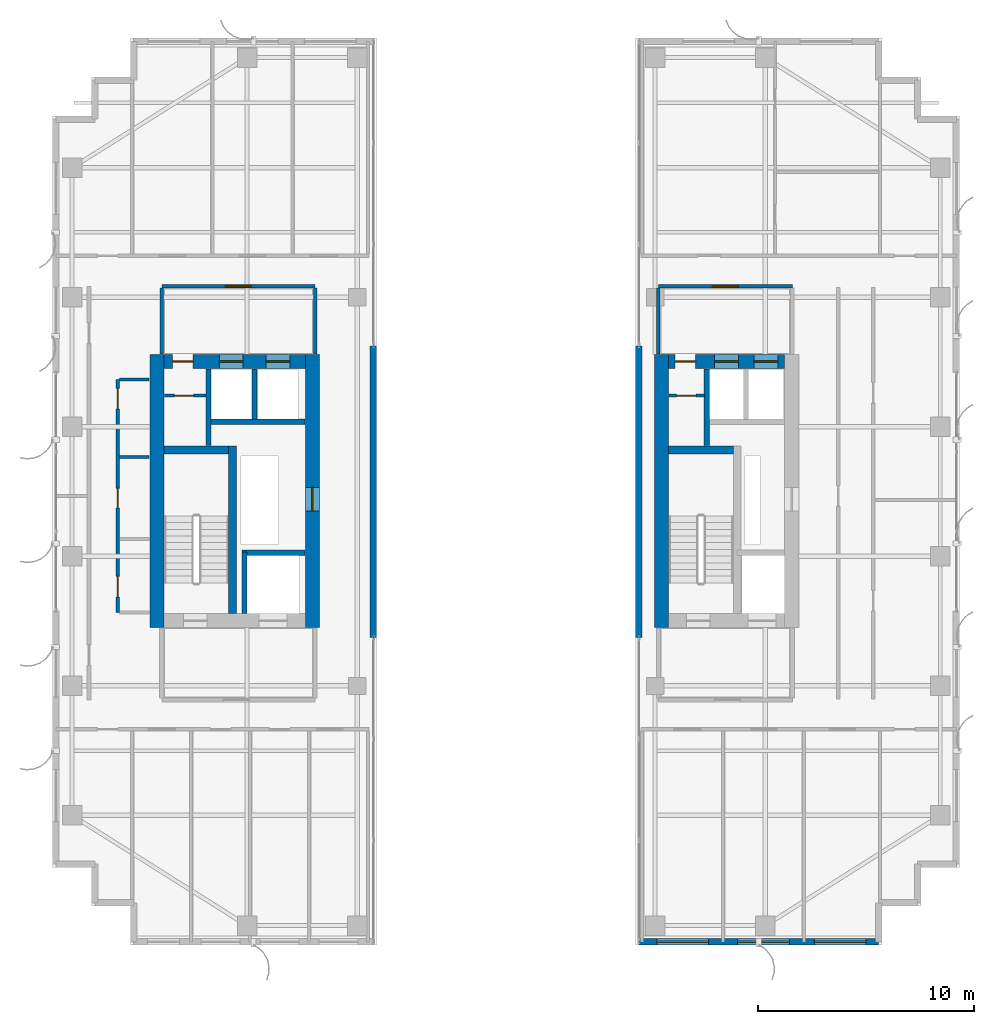
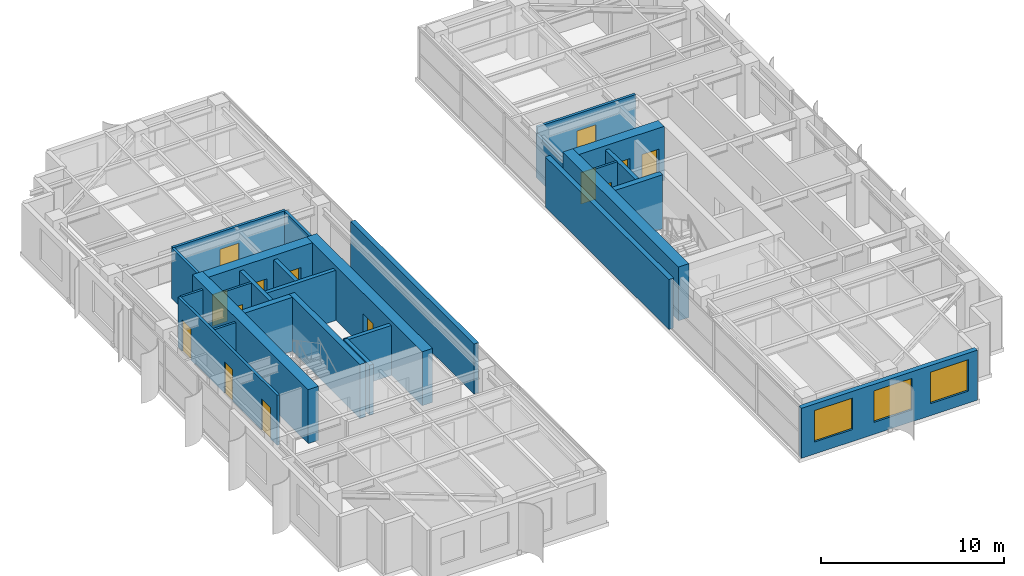
# One storey, part 17 of 22: 27 walls, 14 doors, 3 windows, 17 openings.
"""IFC4 building model written with IfcOpenShell, lengths in metres."""

from ifc_helpers import new_model, si_unit, direction, frame, frame_2d, origin, place, context, subcontext, project, spatial, rectangle, extrude, source, transform, mapped, material, layer, layer_set, type_object, element, fill, save


model = new_model("IFC4")

# Units and contexts
model_context = context("Model", 3, precision=1e-05, world=origin(), true_north=direction((0.0, 1.0)))
body_context = subcontext(model_context, "Body", "Model", "MODEL_VIEW")
ifc_project = project(units=[si_unit("LENGTHUNIT", "METRE"), si_unit("AREAUNIT", "SQUARE_METRE"), si_unit("VOLUMEUNIT", "CUBIC_METRE"), si_unit("PLANEANGLEUNIT", "RADIAN"), si_unit("MASSUNIT", "GRAM", prefix="KILO")], contexts=[model_context])

# Site, building, storey
site_placement = place(None, origin())
site = spatial("IfcSite", under=ifc_project, at=site_placement, CompositionType="ELEMENT")
building_placement = place(site_placement, origin())
building = spatial("IfcBuilding", under=site, at=building_placement, Name="Khoralis Quay Care Tower", CompositionType="ELEMENT")
storey_placement = place(building_placement, frame((0.0, 0.0, 188.10009765625)))
storey = spatial("IfcBuildingStorey", under=building, at=storey_placement, Name="L49", CompositionType="ELEMENT", Elevation=188.10009765625)

# Wall
ifc_material_1 = material(Name="Concrete C65/80", Category="concrete")
ifc_layer_1 = layer(ifc_material_1, 0.64990234375)
ifc_layer_set_1 = layer_set([ifc_layer_1], Name="Concrete C65/80")
wall_type_1 = type_object("IfcWallType", Name="WL-CORE-650", PredefinedType="SHEAR", material=ifc_layer_set_1)
wall_1_placement = place(storey_placement, frame((7.824951171875, 14.699951171875, 0.0), z_axis=(0.0, 0.0, 1.0), x_axis=(0.0, 1.0, 0.0)))
element("IfcWall", 1, at=wall_1_placement, inside=storey, type_object=wall_type_1, Name="L49 WCORE West Shear Wall", PredefinedType="SHEAR", context=body_context, shape_type="SweptSolid", body=[
    extrude(rectangle(XDim=12.650146484375, YDim=0.64990234375, at=frame_2d((6.3251953125, 0.0))), origin(), (0.0, 0.0, 1.0), 3.599853515625),
])

# Wall, opening, door
wall_2_placement = place(storey_placement, frame((15.02490234375, 14.699951171875, 0.0), z_axis=(0.0, 0.0, 1.0), x_axis=(0.0, 1.0, 0.0)))
wall_2 = element("IfcWall", 2, at=wall_2_placement, inside=storey, type_object=wall_type_1, Name="L49 WCORE East Shear Wall", PredefinedType="SHEAR", context=body_context, shape_type="SweptSolid", body=[
    extrude(rectangle(XDim=12.650146484375, YDim=0.64990234375, at=frame_2d((6.3251953125, 0.0))), origin(), (0.0, 0.0, 1.0), 3.599853515625),
])
opening_1_placement = place(wall_2_placement, frame((5.39990234375, 0.0, 0.0)))
opening_1 = element("IfcOpeningElement", 3, at=opening_1_placement, cuts=wall_2, Name="Opening SD1", PredefinedType="OPENING", context=body_context, shape_type="SweptSolid", body=[
    extrude(rectangle(XDim=1.10009765625, YDim=2.199951171875, at=frame_2d((0.550048828125, 1.10009765625))), frame((0.0, 0.3349609375, 0.0), z_axis=(0.0, -1.0, 0.0), x_axis=(1.0, 0.0, 0.0)), (0.0, 0.0, 1.0), 0.669921875),
])
ifc_material_2 = material(Name="Fire-rated painted steel", Category="steel")
door_type_1 = type_object("IfcDoorType", Name="DR-STAIR-1100X2200", OperationType="NOTDEFINED", PredefinedType="DOOR", material=ifc_material_2)
shared_shape_1 = source(origin(), body_context, "Body", "SweptSolid", [
    extrude(rectangle(XDim=1.10009765625, YDim=2.199951171875, at=frame_2d((0.550048828125, 1.10009765625))), frame((0.0, 0.02490234375, 0.0), z_axis=(0.0, -1.0, 0.0), x_axis=(1.0, 0.0, 0.0)), (0.0, 0.0, 1.0), 0.050048828125),
])
door_1_placement = place(opening_1_placement, origin())
door_1 = element("IfcDoor", 4, at=door_1_placement, inside=storey, type_object=door_type_1, Name="L49 West MEP Riser Door", OperationType="SINGLE_SWING_LEFT", OverallHeight=2.199951171875, OverallWidth=1.10009765625, PredefinedType="DOOR", context=body_context, shape_type="MappedRepresentation", body=[
    mapped(shared_shape_1, transform((0.0, 0.0, 0.0), scale=1.0)),
])
fill(opening_1, door_1)

# Wall, openings, doors
wall_3_placement = place(storey_placement, frame((8.14990234375, 27.02490234375, 0.0), z_axis=(0.0, 0.0, 1.0), x_axis=(1.0, 0.0, 0.0)))
wall_3 = element("IfcWall", 5, at=wall_3_placement, inside=storey, type_object=wall_type_1, Name="L49 WCORE North Shear Wall", PredefinedType="SHEAR", context=body_context, shape_type="SweptSolid", body=[
    extrude(rectangle(XDim=6.550048828125, YDim=0.64990234375, at=frame_2d((3.27490234375, 0.0))), origin(), (0.0, 0.0, 1.0), 3.599853515625),
])
opening_2_placement = place(wall_3_placement, frame((0.39990234375, 0.0, 0.0)))
opening_2 = element("IfcOpeningElement", 6, at=opening_2_placement, cuts=wall_3, Name="Opening ID1", PredefinedType="OPENING", context=body_context, shape_type="SweptSolid", body=[
    extrude(rectangle(XDim=0.949951171875, YDim=2.10009765625, at=frame_2d((0.47509765625, 1.050048828125))), frame((0.0, 0.3349609375, 0.0), z_axis=(0.0, -1.0, 0.0), x_axis=(1.0, 0.0, 0.0)), (0.0, 0.0, 1.0), 0.669921875),
])
opening_3_placement = place(wall_3_placement, frame((2.570068359375, 0.0, 0.0)))
opening_3 = element("IfcOpeningElement", 7, at=opening_3_placement, cuts=wall_3, Name="Opening LD1", PredefinedType="OPENING", context=body_context, shape_type="SweptSolid", body=[
    extrude(rectangle(XDim=1.10009765625, YDim=2.199951171875, at=frame_2d((0.550048828125, 1.10009765625))), frame((0.0, 0.3349609375, 0.0), z_axis=(0.0, -1.0, 0.0), x_axis=(1.0, 0.0, 0.0)), (0.0, 0.0, 1.0), 0.669921875),
])
opening_4_placement = place(wall_3_placement, frame((4.72998046875, 0.0, 0.0)))
opening_4 = element("IfcOpeningElement", 8, at=opening_4_placement, cuts=wall_3, Name="Opening LD1", PredefinedType="OPENING", context=body_context, shape_type="SweptSolid", body=[
    extrude(rectangle(XDim=1.10009765625, YDim=2.199951171875, at=frame_2d((0.550048828125, 1.10009765625))), frame((0.0, 0.3349609375, 0.0), z_axis=(0.0, -1.0, 0.0), x_axis=(1.0, 0.0, 0.0)), (0.0, 0.0, 1.0), 0.669921875),
])
ifc_material_3 = material(Name="Brushed stainless steel", Category="steel")
door_type_2 = type_object("IfcDoorType", Name="DR-LIFT-1100X2200", OperationType="SLIDING_TO_LEFT", PredefinedType="DOOR", material=ifc_material_3)
shared_shape_2 = source(origin(), body_context, "Body", "SweptSolid", [
    extrude(rectangle(XDim=1.10009765625, YDim=2.199951171875, at=frame_2d((0.550048828125, 1.10009765625))), frame((0.0, 0.02490234375, 0.0), z_axis=(0.0, -1.0, 0.0), x_axis=(1.0, 0.0, 0.0)), (0.0, 0.0, 1.0), 0.050048828125),
])
door_2_placement = place(opening_3_placement, origin())
door_2 = element("IfcDoor", 9, at=door_2_placement, inside=storey, type_object=door_type_2, Name="L49 Lift PLM1 Landing Door", OperationType="SLIDING_TO_LEFT", OverallHeight=2.199951171875, OverallWidth=1.10009765625, PredefinedType="DOOR", context=body_context, shape_type="MappedRepresentation", body=[
    mapped(shared_shape_2, transform((0.0, 0.0, 0.0), scale=1.0)),
])
fill(opening_3, door_2)
door_3_placement = place(opening_4_placement, origin())
door_3 = element("IfcDoor", 10, at=door_3_placement, inside=storey, type_object=door_type_2, Name="L49 Lift PLH1 Landing Door", OperationType="SLIDING_TO_LEFT", OverallHeight=2.199951171875, OverallWidth=1.10009765625, PredefinedType="DOOR", context=body_context, shape_type="MappedRepresentation", body=[
    mapped(shared_shape_2, transform((0.0, 0.0, 0.0), scale=1.0)),
])
fill(opening_4, door_3)
ifc_material_4 = material(Name="Acoustic hardwood timber", Category="wood")
door_type_3 = type_object("IfcDoorType", Name="DR-ROOM-950X2100", OperationType="NOTDEFINED", PredefinedType="DOOR", material=ifc_material_4)
shared_shape_3 = source(origin(), body_context, "Body", "SweptSolid", [
    extrude(rectangle(XDim=0.949951171875, YDim=2.10009765625, at=frame_2d((0.47509765625, 1.050048828125))), frame((0.0, 0.02490234375, 0.0), z_axis=(0.0, -1.0, 0.0), x_axis=(1.0, 0.0, 0.0)), (0.0, 0.0, 1.0), 0.050048828125),
])
door_4_placement = place(opening_2_placement, frame((0.949951171875, 0.0, 0.0), z_axis=(0.0, 0.0, 1.0), x_axis=(-1.0, 0.0, 0.0)))
door_4 = element("IfcDoor", 11, at=door_4_placement, inside=storey, type_object=door_type_3, Name="L49 Medication Store Door", OperationType="SINGLE_SWING_LEFT", OverallHeight=2.10009765625, OverallWidth=0.949951171875, PredefinedType="DOOR", context=body_context, shape_type="MappedRepresentation", body=[
    mapped(shared_shape_3, transform((0.0, 0.0, 0.0), scale=1.0)),
])
fill(opening_2, door_4)

# Wall
wall_4_placement = place(storey_placement, frame((31.195068359375, 14.699951171875, 0.0), z_axis=(0.0, 0.0, 1.0), x_axis=(0.0, 1.0, 0.0)))
element("IfcWall", 12, at=wall_4_placement, inside=storey, type_object=wall_type_1, Name="L49 ECORE West Shear Wall", PredefinedType="SHEAR", context=body_context, shape_type="SweptSolid", body=[
    extrude(rectangle(XDim=12.650146484375, YDim=0.64990234375, at=frame_2d((6.3251953125, 0.0))), origin(), (0.0, 0.0, 1.0), 3.599853515625),
])

# Wall, openings, doors
wall_5_placement = place(storey_placement, frame((31.52001953125, 27.02490234375, 0.0), z_axis=(0.0, 0.0, 1.0), x_axis=(1.0, 0.0, 0.0)))
wall_5 = element("IfcWall", 13, at=wall_5_placement, inside=storey, type_object=wall_type_1, Name="L49 ECORE North Shear Wall", PredefinedType="SHEAR", context=body_context, shape_type="SweptSolid", body=[
    extrude(rectangle(XDim=5.3798828125, YDim=0.64990234375, at=frame_2d((2.68994140625, 0.0))), origin(), (0.0, 0.0, 1.0), 3.599853515625),
])
opening_5_placement = place(wall_5_placement, frame((0.300048828125, 0.0, 0.0)))
opening_5 = element("IfcOpeningElement", 14, at=opening_5_placement, cuts=wall_5, Name="Opening ID1", PredefinedType="OPENING", context=body_context, shape_type="SweptSolid", body=[
    extrude(rectangle(XDim=0.949951171875, YDim=2.10009765625, at=frame_2d((0.47509765625, 1.050048828125))), frame((0.0, 0.3349609375, 0.0), z_axis=(0.0, -1.0, 0.0), x_axis=(1.0, 0.0, 0.0)), (0.0, 0.0, 1.0), 0.669921875),
])
opening_6_placement = place(wall_5_placement, frame((2.1298828125, 0.0, 0.0)))
opening_6 = element("IfcOpeningElement", 15, at=opening_6_placement, cuts=wall_5, Name="Opening LD1", PredefinedType="OPENING", context=body_context, shape_type="SweptSolid", body=[
    extrude(rectangle(XDim=1.10009765625, YDim=2.199951171875, at=frame_2d((0.550048828125, 1.10009765625))), frame((0.0, 0.3349609375, 0.0), z_axis=(0.0, -1.0, 0.0), x_axis=(1.0, 0.0, 0.0)), (0.0, 0.0, 1.0), 0.669921875),
])
opening_7_placement = place(wall_5_placement, frame((3.9599609375, 0.0, 0.0)))
opening_7 = element("IfcOpeningElement", 16, at=opening_7_placement, cuts=wall_5, Name="Opening LD1", PredefinedType="OPENING", context=body_context, shape_type="SweptSolid", body=[
    extrude(rectangle(XDim=1.10009765625, YDim=2.199951171875, at=frame_2d((0.550048828125, 1.10009765625))), frame((0.0, 0.3349609375, 0.0), z_axis=(0.0, -1.0, 0.0), x_axis=(1.0, 0.0, 0.0)), (0.0, 0.0, 1.0), 0.669921875),
])
door_5_placement = place(opening_6_placement, origin())
door_5 = element("IfcDoor", 17, at=door_5_placement, inside=storey, type_object=door_type_2, Name="L49 Lift PLM2 Landing Door", OperationType="SLIDING_TO_LEFT", OverallHeight=2.199951171875, OverallWidth=1.10009765625, PredefinedType="DOOR", context=body_context, shape_type="MappedRepresentation", body=[
    mapped(shared_shape_2, transform((0.0, 0.0, 0.0), scale=1.0)),
])
fill(opening_6, door_5)
door_6_placement = place(opening_7_placement, origin())
door_6 = element("IfcDoor", 18, at=door_6_placement, inside=storey, type_object=door_type_2, Name="L49 Lift PLH2 Landing Door", OperationType="SLIDING_TO_LEFT", OverallHeight=2.199951171875, OverallWidth=1.10009765625, PredefinedType="DOOR", context=body_context, shape_type="MappedRepresentation", body=[
    mapped(shared_shape_2, transform((0.0, 0.0, 0.0), scale=1.0)),
])
fill(opening_7, door_6)
door_7_placement = place(opening_5_placement, frame((0.949951171875, 0.0, 0.0), z_axis=(0.0, 0.0, 1.0), x_axis=(-1.0, 0.0, 0.0)))
door_7 = element("IfcDoor", 19, at=door_7_placement, inside=storey, type_object=door_type_3, Name="L49 Nutrition Store Door", OperationType="SINGLE_SWING_RIGHT", OverallHeight=2.10009765625, OverallWidth=0.949951171875, PredefinedType="DOOR", context=body_context, shape_type="MappedRepresentation", body=[
    mapped(shared_shape_3, transform((0.0, 0.0, 0.0), scale=1.0)),
])
fill(opening_5, door_7)

# Wall, opening, door
ifc_material_5 = material(Name="Gypsum plasterboard on acoustic metal stud")
ifc_layer_2 = layer(ifc_material_5, 0.1650390625)
ifc_layer_set_2 = layer_set([ifc_layer_2], Name="Gypsum plasterboard on acoustic metal stud")
wall_type_2 = type_object("IfcWallType", Name="WL-CORR-165", PredefinedType="PARTITIONING", material=ifc_layer_set_2)
wall_6_placement = place(storey_placement, frame((8.050048828125, 30.5, 0.0), z_axis=(0.0, 0.0, 1.0), x_axis=(1.0, 0.0, 0.0)))
wall_6 = element("IfcWall", 20, at=wall_6_placement, inside=storey, type_object=wall_type_2, Name="L49 West Lift Lobby North Wall", PredefinedType="PARTITIONING", context=body_context, shape_type="SweptSolid", body=[
    extrude(rectangle(XDim=7.099853515625, YDim=0.1650390625, at=frame_2d((3.5498046875, 0.0))), origin(), (0.0, 0.0, 1.0), 3.33984375),
])
opening_8_placement = place(wall_6_placement, frame((2.949951171875, 0.0, 0.0)))
opening_8 = element("IfcOpeningElement", 21, at=opening_8_placement, cuts=wall_6, Name="Opening FD1", PredefinedType="OPENING", context=body_context, shape_type="SweptSolid", body=[
    extrude(rectangle(XDim=1.199951171875, YDim=2.199951171875, at=frame_2d((0.60009765625, 1.10009765625))), frame((0.0, 0.092529296875, 0.0), z_axis=(0.0, -1.0, 0.0), x_axis=(1.0, 0.0, 0.0)), (0.0, 0.0, 1.0), 0.18505859375),
])
door_type_4 = type_object("IfcDoorType", Name="DR-FFL-1200X2200", OperationType="NOTDEFINED", PredefinedType="DOOR", material=ifc_material_2)
shared_shape_4 = source(origin(), body_context, "Body", "SweptSolid", [
    extrude(rectangle(XDim=1.199951171875, YDim=2.199951171875, at=frame_2d((0.60009765625, 1.10009765625))), frame((0.0, 0.02490234375, 0.0), z_axis=(0.0, -1.0, 0.0), x_axis=(1.0, 0.0, 0.0)), (0.0, 0.0, 1.0), 0.050048828125),
])
door_8_placement = place(opening_8_placement, origin())
door_8 = element("IfcDoor", 22, at=door_8_placement, inside=storey, type_object=door_type_4, Name="L49 West Lift Lobby Double Door", OperationType="DOUBLE_DOOR_SINGLE_SWING", OverallHeight=2.199951171875, OverallWidth=1.199951171875, PredefinedType="DOOR", context=body_context, shape_type="MappedRepresentation", body=[
    mapped(shared_shape_4, transform((0.0, 0.0, 0.0), scale=1.0)),
])
fill(opening_8, door_8)

# Walls
for number, where, z_axis, x_axis, name in (
    (23, (8.050048828125, 27.3701171875, 0.0), (0.0, 0.0, 1.0), (0.0, 1.0, 0.0), "L49 West Lift Lobby West Wall"),
    (24, (15.14990234375, 27.3701171875, 0.0), (0.0, 0.0, 1.0), (0.0, 1.0, 0.0), "L49 West Lift Lobby East Wall"),
):
    element("IfcWall", number, at=place(storey_placement, frame(where, z_axis=z_axis, x_axis=x_axis)), inside=storey, type_object=wall_type_2, Name=name, PredefinedType="PARTITIONING", context=body_context, shape_type="SweptSolid", body=[
        extrude(rectangle(XDim=3.052490234375, YDim=0.1650390625, at=frame_2d((1.5263671875, 0.0))), origin(), (0.0, 0.0, 1.0), 3.33984375),
    ])

# Wall, opening, door
wall_7_placement = place(storey_placement, frame((31.050048828125, 30.5, 0.0), z_axis=(0.0, 0.0, 1.0), x_axis=(1.0, 0.0, 0.0)))
wall_7 = element("IfcWall", 25, at=wall_7_placement, inside=storey, type_object=wall_type_2, Name="L49 East Lift Lobby North Wall", PredefinedType="PARTITIONING", context=body_context, shape_type="SweptSolid", body=[
    extrude(rectangle(XDim=6.199951171875, YDim=0.1650390625, at=frame_2d((3.10009765625, 0.0))), origin(), (0.0, 0.0, 1.0), 3.33984375),
])
opening_9_placement = place(wall_7_placement, frame((2.5, 0.0, 0.0)))
opening_9 = element("IfcOpeningElement", 26, at=opening_9_placement, cuts=wall_7, Name="Opening FD1", PredefinedType="OPENING", context=body_context, shape_type="SweptSolid", body=[
    extrude(rectangle(XDim=1.199951171875, YDim=2.199951171875, at=frame_2d((0.60009765625, 1.10009765625))), frame((0.0, 0.092529296875, 0.0), z_axis=(0.0, -1.0, 0.0), x_axis=(1.0, 0.0, 0.0)), (0.0, 0.0, 1.0), 0.18505859375),
])
door_9_placement = place(opening_9_placement, origin())
door_9 = element("IfcDoor", 27, at=door_9_placement, inside=storey, type_object=door_type_4, Name="L49 East Lift Lobby Double Door", OperationType="DOUBLE_DOOR_SINGLE_SWING", OverallHeight=2.199951171875, OverallWidth=1.199951171875, PredefinedType="DOOR", context=body_context, shape_type="MappedRepresentation", body=[
    mapped(shared_shape_4, transform((0.0, 0.0, 0.0), scale=1.0)),
])
fill(opening_9, door_9)

# Wall
wall_8_placement = place(storey_placement, frame((31.050048828125, 27.3701171875, 0.0), z_axis=(0.0, 0.0, 1.0), x_axis=(0.0, 1.0, 0.0)))
element("IfcWall", 28, at=wall_8_placement, inside=storey, type_object=wall_type_2, Name="L49 East Lift Lobby West Wall", PredefinedType="PARTITIONING", context=body_context, shape_type="SweptSolid", body=[
    extrude(rectangle(XDim=3.052490234375, YDim=0.1650390625, at=frame_2d((1.5263671875, 0.0))), origin(), (0.0, 0.0, 1.0), 2.876953125),
])

# Wall, openings, doors
wall_9_placement = place(storey_placement, frame((6.02001953125, 15.39990234375, 0.0), z_axis=(0.0, 0.0, 1.0), x_axis=(0.0, 1.0, 0.0)))
wall_9 = element("IfcWall", 29, at=wall_9_placement, inside=storey, type_object=wall_type_2, Name="L49 West Core Service Flank Wall", PredefinedType="PARTITIONING", context=body_context, shape_type="SweptSolid", body=[
    extrude(rectangle(XDim=10.800048828125, YDim=0.1650390625, at=frame_2d((5.39990234375, 0.0))), origin(), (0.0, 0.0, 1.0), 3.33984375),
])
opening_10_placement = place(wall_9_placement, frame((0.72509765625, 0.0, 0.0)))
opening_10 = element("IfcOpeningElement", 30, at=opening_10_placement, cuts=wall_9, Name="Opening ID1", PredefinedType="OPENING", context=body_context, shape_type="SweptSolid", body=[
    extrude(rectangle(XDim=0.949951171875, YDim=2.10009765625, at=frame_2d((0.47509765625, 1.050048828125))), frame((0.0, 0.092529296875, 0.0), z_axis=(0.0, -1.0, 0.0), x_axis=(1.0, 0.0, 0.0)), (0.0, 0.0, 1.0), 0.18505859375),
])
opening_11_placement = place(wall_9_placement, frame((4.85009765625, 0.0, 0.0)))
opening_11 = element("IfcOpeningElement", 31, at=opening_11_placement, cuts=wall_9, Name="Opening WD1", PredefinedType="OPENING", context=body_context, shape_type="SweptSolid", body=[
    extrude(rectangle(XDim=0.89990234375, YDim=2.10009765625, at=frame_2d((0.449951171875, 1.050048828125))), frame((0.0, 0.092529296875, 0.0), z_axis=(0.0, -1.0, 0.0), x_axis=(1.0, 0.0, 0.0)), (0.0, 0.0, 1.0), 0.18505859375),
])
opening_12_placement = place(wall_9_placement, frame((9.425048828125, 0.0, 0.0)))
opening_12 = element("IfcOpeningElement", 32, at=opening_12_placement, cuts=wall_9, Name="Opening ID1", PredefinedType="OPENING", context=body_context, shape_type="SweptSolid", body=[
    extrude(rectangle(XDim=0.949951171875, YDim=2.10009765625, at=frame_2d((0.47509765625, 1.050048828125))), frame((0.0, 0.092529296875, 0.0), z_axis=(0.0, -1.0, 0.0), x_axis=(1.0, 0.0, 0.0)), (0.0, 0.0, 1.0), 0.18505859375),
])
door_type_5 = type_object("IfcDoorType", Name="DR-BATH-900X2100", OperationType="NOTDEFINED", PredefinedType="DOOR", material=ifc_material_4)
shared_shape_5 = source(origin(), body_context, "Body", "SweptSolid", [
    extrude(rectangle(XDim=0.89990234375, YDim=2.10009765625, at=frame_2d((0.449951171875, 1.050048828125))), frame((0.0, 0.02490234375, 0.0), z_axis=(0.0, -1.0, 0.0), x_axis=(1.0, 0.0, 0.0)), (0.0, 0.0, 1.0), 0.050048828125),
])
door_10_placement = place(opening_11_placement, frame((0.89990234375, 0.0, 0.0), z_axis=(0.0, 0.0, 1.0), x_axis=(-1.0, 0.0, 0.0)))
door_10 = element("IfcDoor", 33, at=door_10_placement, inside=storey, type_object=door_type_5, Name="L49 Public Accessible WC Door", OperationType="SINGLE_SWING_LEFT", OverallHeight=2.10009765625, OverallWidth=0.89990234375, PredefinedType="DOOR", context=body_context, shape_type="MappedRepresentation", body=[
    mapped(shared_shape_5, transform((0.0, 0.0, 0.0), scale=1.0)),
])
fill(opening_11, door_10)
door_11_placement = place(opening_10_placement, frame((0.949951171875, 0.0, 0.0), z_axis=(0.0, 0.0, 1.0), x_axis=(-1.0, 0.0, 0.0)))
door_11 = element("IfcDoor", 34, at=door_11_placement, inside=storey, type_object=door_type_3, Name="L49 Clean Utility Store Door", OperationType="SINGLE_SWING_RIGHT", OverallHeight=2.10009765625, OverallWidth=0.949951171875, PredefinedType="DOOR", context=body_context, shape_type="MappedRepresentation", body=[
    mapped(shared_shape_3, transform((0.0, 0.0, 0.0), scale=1.0)),
])
fill(opening_10, door_11)
door_12_placement = place(opening_12_placement, frame((0.949951171875, 0.0, 0.0), z_axis=(0.0, 0.0, 1.0), x_axis=(-1.0, 0.0, 0.0)))
door_12 = element("IfcDoor", 35, at=door_12_placement, inside=storey, type_object=door_type_3, Name="L49 Electrical Switchboard Room Door", OperationType="SINGLE_SWING_RIGHT", OverallHeight=2.10009765625, OverallWidth=0.949951171875, PredefinedType="DOOR", context=body_context, shape_type="MappedRepresentation", body=[
    mapped(shared_shape_3, transform((0.0, 0.0, 0.0), scale=1.0)),
])
fill(opening_12, door_12)

# Wall
ifc_material_6 = material(Name="Precast concrete C45/55", Category="concrete")
ifc_layer_3 = layer(ifc_material_6, 0.300048828125)
ifc_layer_set_3 = layer_set([ifc_layer_3], Name="Precast concrete C45/55")
wall_type_3 = type_object("IfcWallType", Name="WL-EXT-REF-300", PredefinedType="SOLIDWALL", material=ifc_layer_set_3)
wall_10_placement = place(storey_placement, frame((17.85009765625, 14.25, 0.0), z_axis=(0.0, 0.0, 1.0), x_axis=(0.0, 1.0, 0.0)))
element("IfcWall", 36, at=wall_10_placement, inside=storey, type_object=wall_type_3, Name="L49 External Facade Wall WL-VP-L49-P1-M", PredefinedType="SOLIDWALL", context=body_context, shape_type="SweptSolid", body=[
    extrude(rectangle(XDim=13.5, YDim=0.300048828125, at=frame_2d((6.75, 0.0))), origin(), (0.0, 0.0, 1.0), 3.33984375),
])

# Wall, openings, windows
wall_11_placement = place(storey_placement, frame((30.14990234375, 0.14990234375, 0.0), z_axis=(0.0, 0.0, 1.0), x_axis=(1.0, 0.0, 0.0)))
wall_11 = element("IfcWall", 37, at=wall_11_placement, inside=storey, type_object=wall_type_3, Name="L49 External Facade Wall WL-EXT-L49-P2-E0", PredefinedType="SOLIDWALL", context=body_context, shape_type="SweptSolid", body=[
    extrude(rectangle(XDim=11.10009765625, YDim=0.300048828125, at=frame_2d((5.550048828125, 0.0))), origin(), (0.0, 0.0, 1.0), 3.33984375),
])
opening_13_placement = place(wall_11_placement, frame((0.824951171875, 0.0, 0.800048828125)))
opening_13 = element("IfcOpeningElement", 38, at=opening_13_placement, cuts=wall_11, Name="Opening W1", PredefinedType="OPENING", context=body_context, shape_type="SweptSolid", body=[
    extrude(rectangle(XDim=2.39990234375, YDim=2.10009765625, at=frame_2d((1.199951171875, 1.050048828125))), frame((0.0, 0.16015625, 0.0), z_axis=(0.0, -1.0, 0.0), x_axis=(1.0, 0.0, 0.0)), (0.0, 0.0, 1.0), 0.320068359375),
])
opening_14_placement = place(wall_11_placement, frame((4.570068359375, 0.0, 0.800048828125)))
opening_14 = element("IfcOpeningElement", 39, at=opening_14_placement, cuts=wall_11, Name="Opening W1", PredefinedType="OPENING", context=body_context, shape_type="SweptSolid", body=[
    extrude(rectangle(XDim=2.39990234375, YDim=2.10009765625, at=frame_2d((1.199951171875, 1.050048828125))), frame((0.0, 0.16015625, 0.0), z_axis=(0.0, -1.0, 0.0), x_axis=(1.0, 0.0, 0.0)), (0.0, 0.0, 1.0), 0.320068359375),
])
opening_15_placement = place(wall_11_placement, frame((8.1201171875, 0.0, 0.800048828125)))
opening_15 = element("IfcOpeningElement", 40, at=opening_15_placement, cuts=wall_11, Name="Opening W1", PredefinedType="OPENING", context=body_context, shape_type="SweptSolid", body=[
    extrude(rectangle(XDim=2.39990234375, YDim=2.10009765625, at=frame_2d((1.199951171875, 1.050048828125))), frame((0.0, 0.16015625, 0.0), z_axis=(0.0, -1.0, 0.0), x_axis=(1.0, 0.0, 0.0)), (0.0, 0.0, 1.0), 0.320068359375),
])
ifc_material_7 = material(Name="Low-E solar-control double glazing", Category="glass")
window_type = type_object("IfcWindowType", Name="WN-POD-2400X2100", PartitioningType="SINGLE_PANEL", PredefinedType="WINDOW", material=ifc_material_7)
shared_shape_6 = source(origin(), body_context, "Body", "SweptSolid", [
    extrude(rectangle(XDim=2.39990234375, YDim=2.10009765625, at=frame_2d((1.199951171875, 1.050048828125))), frame((0.0, 0.030029296875, 0.0), z_axis=(0.0, -1.0, 0.0), x_axis=(1.0, 0.0, 0.0)), (0.0, 0.0, 1.0), 0.06005859375),
])
window_1_placement = place(opening_13_placement, origin())
window_1 = element("IfcWindow", 41, at=window_1_placement, inside=storey, type_object=window_type, Name="WN-L49-P2-E0 Facade Window 01", OverallHeight=2.10009765625, OverallWidth=2.39990234375, PartitioningType="SINGLE_PANEL", PredefinedType="WINDOW", context=body_context, shape_type="MappedRepresentation", body=[
    mapped(shared_shape_6, transform((0.0, 0.0, 0.0), scale=1.0)),
])
fill(opening_13, window_1)
window_2_placement = place(opening_14_placement, origin())
window_2 = element("IfcWindow", 42, at=window_2_placement, inside=storey, type_object=window_type, Name="WN-L49-P2-E0 Facade Window 02", OverallHeight=2.10009765625, OverallWidth=2.39990234375, PartitioningType="SINGLE_PANEL", PredefinedType="WINDOW", context=body_context, shape_type="MappedRepresentation", body=[
    mapped(shared_shape_6, transform((0.0, 0.0, 0.0), scale=1.0)),
])
fill(opening_14, window_2)
window_3_placement = place(opening_15_placement, origin())
window_3 = element("IfcWindow", 43, at=window_3_placement, inside=storey, type_object=window_type, Name="WN-L49-P2-E0 Facade Window 03", OverallHeight=2.10009765625, OverallWidth=2.39990234375, PartitioningType="SINGLE_PANEL", PredefinedType="WINDOW", context=body_context, shape_type="MappedRepresentation", body=[
    mapped(shared_shape_6, transform((0.0, 0.0, 0.0), scale=1.0)),
])
fill(opening_15, window_3)

# Walls
wall_12_placement = place(storey_placement, frame((30.14990234375, 14.25, 0.0), z_axis=(0.0, 0.0, 1.0), x_axis=(0.0, 1.0, 0.0)))
element("IfcWall", 44, at=wall_12_placement, inside=storey, type_object=wall_type_3, Name="L49 External Facade Wall WL-VP-L49-P2-M", PredefinedType="SOLIDWALL", context=body_context, shape_type="SweptSolid", body=[
    extrude(rectangle(XDim=13.5, YDim=0.300048828125, at=frame_2d((6.75, 0.0))), origin(), (0.0, 0.0, 1.0), 3.33984375),
])
ifc_material_8 = material(Name="Concrete C40/50", Category="concrete")
ifc_layer_4 = layer(ifc_material_8, 0.35009765625)
ifc_layer_set_4 = layer_set([ifc_layer_4], Name="Concrete C40/50")
wall_type_4 = type_object("IfcWallType", Name="WL-SC-CORE-350", PredefinedType="SHEAR", material=ifc_layer_set_4)
wall_13_placement = place(storey_placement, frame((11.324951171875, 15.35009765625, 0.0), z_axis=(0.0, 0.0, 1.0), x_axis=(0.0, 1.0, 0.0)))
element("IfcWall", 45, at=wall_13_placement, inside=storey, type_object=wall_type_4, Name="L49 Stair ST-T1 Shear Baffle Wall East", PredefinedType="SHEAR", context=body_context, shape_type="SweptSolid", body=[
    extrude(rectangle(XDim=7.75, YDim=0.35009765625, at=frame_2d((3.875, 0.0))), origin(), (0.0, 0.0, 1.0), 3.599853515625),
])
for number, where, z_axis, x_axis, name in (
    (46, (8.14990234375, 22.925048828125, 0.0), (0.0, 0.0, 1.0), (1.0, 0.0, 0.0), "L49 Stair ST-T1 Shear Baffle Wall North"),
    (47, (31.52001953125, 22.925048828125, 0.0), (0.0, 0.0, 1.0), (1.0, 0.0, 0.0), "L49 Stair ST-T2 Shear Baffle Wall North"),
):
    element("IfcWall", number, at=place(storey_placement, frame(where, z_axis=z_axis, x_axis=x_axis)), inside=storey, type_object=wall_type_4, Name=name, PredefinedType="SHEAR", context=body_context, shape_type="SweptSolid", body=[
        extrude(rectangle(XDim=3.0, YDim=0.35009765625, at=frame_2d((1.5, 0.0))), origin(), (0.0, 0.0, 1.0), 3.599853515625),
    ])
ifc_layer_5 = layer(ifc_material_5, 0.239990234375)
ifc_layer_set_5 = layer_set([ifc_layer_5], Name="Gypsum plasterboard on acoustic metal stud")
wall_type_5 = type_object("IfcWallType", Name="WL-SHAFT-240", PredefinedType="PARTITIONING", material=ifc_layer_set_5)
wall_14_placement = place(storey_placement, frame((11.8798828125, 15.35009765625, 0.0), z_axis=(0.0, 0.0, 1.0), x_axis=(0.0, 1.0, 0.0)))
element("IfcWall", 48, at=wall_14_placement, inside=storey, type_object=wall_type_5, Name="L49 FFL-1 Shaft Wall West", PredefinedType="PARTITIONING", context=body_context, shape_type="SweptSolid", body=[
    extrude(rectangle(XDim=2.849853515625, YDim=0.239990234375, at=frame_2d((1.4248046875, 0.0))), origin(), (0.0, 0.0, 1.0), 3.33984375),
])
wall_15_placement = place(storey_placement, frame((11.760009765625, 18.169921875, 0.0), z_axis=(0.0, 0.0, 1.0), x_axis=(1.0, 0.0, 0.0)))
element("IfcWall", 49, at=wall_15_placement, inside=storey, type_object=wall_type_5, Name="L49 FFL-1 Shaft Wall North", PredefinedType="PARTITIONING", context=body_context, shape_type="SweptSolid", body=[
    extrude(rectangle(XDim=2.919921875, YDim=0.239990234375, at=frame_2d((1.4599609375, 0.0))), origin(), (0.0, 0.0, 1.0), 3.33984375),
])
wall_16_placement = place(storey_placement, frame((10.219970703125, 23.139892578125, 0.0), z_axis=(0.0, 0.0, 1.0), x_axis=(0.0, 1.0, 0.0)))
element("IfcWall", 50, at=wall_16_placement, inside=storey, type_object=wall_type_5, Name="L49 Reclaimed Bay Divider West", PredefinedType="PARTITIONING", context=body_context, shape_type="SweptSolid", body=[
    extrude(rectangle(XDim=3.5400390625, YDim=0.239990234375, at=frame_2d((1.77001953125, 0.0))), origin(), (0.0, 0.0, 1.0), 3.33984375),
])
wall_17_placement = place(storey_placement, frame((10.3349609375, 24.22998046875, 0.0), z_axis=(0.0, 0.0, 1.0), x_axis=(1.0, 0.0, 0.0)))
element("IfcWall", 51, at=wall_17_placement, inside=storey, type_object=wall_type_5, Name="L49 Active Shaft South Wall West", PredefinedType="PARTITIONING", context=body_context, shape_type="SweptSolid", body=[
    extrude(rectangle(XDim=4.344970703125, YDim=0.239990234375, at=frame_2d((2.17236328125, 0.0))), origin(), (0.0, 0.0, 1.0), 3.33984375),
])
wall_18_placement = place(storey_placement, frame((12.35009765625, 24.344970703125, 0.0), z_axis=(0.0, 0.0, 1.0), x_axis=(0.0, 1.0, 0.0)))
element("IfcWall", 52, at=wall_18_placement, inside=storey, type_object=wall_type_5, Name="L49 West Shaft Divider 2", PredefinedType="PARTITIONING", context=body_context, shape_type="SweptSolid", body=[
    extrude(rectangle(XDim=2.3349609375, YDim=0.239990234375, at=frame_2d((1.16748046875, 0.0))), origin(), (0.0, 0.0, 1.0), 3.33984375),
])
wall_19_placement = place(storey_placement, frame((33.2900390625, 23.139892578125, 0.0), z_axis=(0.0, 0.0, 1.0), x_axis=(0.0, 1.0, 0.0)))
element("IfcWall", 53, at=wall_19_placement, inside=storey, type_object=wall_type_5, Name="L49 Reclaimed Bay Divider East", PredefinedType="PARTITIONING", context=body_context, shape_type="SweptSolid", body=[
    extrude(rectangle(XDim=3.5400390625, YDim=0.239990234375, at=frame_2d((1.77001953125, 0.0))), origin(), (0.0, 0.0, 1.0), 3.33984375),
])

# Wall, opening, door
ifc_layer_6 = layer(ifc_material_5, 0.139892578125)
ifc_layer_set_6 = layer_set([ifc_layer_6], Name="Gypsum plasterboard on acoustic metal stud")
wall_type_6 = type_object("IfcWallType", Name="WL-UNIT-140", PredefinedType="PARTITIONING", material=ifc_layer_set_6)
wall_20_placement = place(storey_placement, frame((8.179931640625, 25.43994140625, 0.0), z_axis=(0.0, 0.0, 1.0), x_axis=(1.0, 0.0, 0.0)))
wall_20 = element("IfcWall", 54, at=wall_20_placement, inside=storey, type_object=wall_type_6, Name="L49 West Reclaimed Split Wall", PredefinedType="PARTITIONING", context=body_context, shape_type="SweptSolid", body=[
    extrude(rectangle(XDim=1.925048828125, YDim=0.139892578125, at=frame_2d((0.96240234375, 0.0))), origin(), (0.0, 0.0, 1.0), 3.33984375),
])
opening_16_placement = place(wall_20_placement, frame((0.449951171875, 0.0, 0.0)))
opening_16 = element("IfcOpeningElement", 55, at=opening_16_placement, cuts=wall_20, Name="Opening WD1", PredefinedType="OPENING", context=body_context, shape_type="SweptSolid", body=[
    extrude(rectangle(XDim=0.89990234375, YDim=2.10009765625, at=frame_2d((0.449951171875, 1.050048828125))), frame((0.0, 0.080078125, 0.0), z_axis=(0.0, -1.0, 0.0), x_axis=(1.0, 0.0, 0.0)), (0.0, 0.0, 1.0), 0.159912109375),
])
door_13_placement = place(opening_16_placement, frame((0.89990234375, 0.0, 0.0), z_axis=(0.0, 0.0, 1.0), x_axis=(-1.0, 0.0, 0.0)))
door_13 = element("IfcDoor", 56, at=door_13_placement, inside=storey, type_object=door_type_5, Name="L49 Clean Linen Store Door", OperationType="SINGLE_SWING_LEFT", OverallHeight=2.10009765625, OverallWidth=0.89990234375, PredefinedType="DOOR", context=body_context, shape_type="MappedRepresentation", body=[
    mapped(shared_shape_5, transform((0.0, 0.0, 0.0), scale=1.0)),
])
fill(opening_16, door_13)

wall_21_placement = place(storey_placement, frame((31.550048828125, 25.43994140625, 0.0), z_axis=(0.0, 0.0, 1.0), x_axis=(1.0, 0.0, 0.0)))
wall_21 = element("IfcWall", 57, at=wall_21_placement, inside=storey, type_object=wall_type_6, Name="L49 East Reclaimed Split Wall", PredefinedType="PARTITIONING", context=body_context, shape_type="SweptSolid", body=[
    extrude(rectangle(XDim=1.625, YDim=0.139892578125, at=frame_2d((0.8125, 0.0))), origin(), (0.0, 0.0, 1.0), 3.33984375),
])
opening_17_placement = place(wall_21_placement, frame((0.340087890625, 0.0, 0.0)))
opening_17 = element("IfcOpeningElement", 58, at=opening_17_placement, cuts=wall_21, Name="Opening WD1", PredefinedType="OPENING", context=body_context, shape_type="SweptSolid", body=[
    extrude(rectangle(XDim=0.89990234375, YDim=2.10009765625, at=frame_2d((0.449951171875, 1.050048828125))), frame((0.0, 0.080078125, 0.0), z_axis=(0.0, -1.0, 0.0), x_axis=(1.0, 0.0, 0.0)), (0.0, 0.0, 1.0), 0.159912109375),
])
door_14_placement = place(opening_17_placement, frame((0.89990234375, 0.0, 0.0), z_axis=(0.0, 0.0, 1.0), x_axis=(-1.0, 0.0, 0.0)))
door_14 = element("IfcDoor", 59, at=door_14_placement, inside=storey, type_object=door_type_5, Name="L49 Sterile Store Door", OperationType="SINGLE_SWING_RIGHT", OverallHeight=2.10009765625, OverallWidth=0.89990234375, PredefinedType="DOOR", context=body_context, shape_type="MappedRepresentation", body=[
    mapped(shared_shape_5, transform((0.0, 0.0, 0.0), scale=1.0)),
])
fill(opening_17, door_14)

# Walls
for number, where, z_axis, x_axis, name in (
    (60, (6.097412109375, 26.199951171875, 0.0), (0.0, 0.0, 1.0), (1.0, 0.0, 0.0), "L49 West Flank North Cap"),
    (61, (6.097412109375, 22.60009765625, 0.0), (0.0, 0.0, 1.0), (1.0, 0.0, 0.0), "L49 West Flank Divider 2"),
):
    element("IfcWall", number, at=place(storey_placement, frame(where, z_axis=z_axis, x_axis=x_axis)), inside=storey, type_object=wall_type_6, Name=name, PredefinedType="PARTITIONING", context=body_context, shape_type="SweptSolid", body=[
        extrude(rectangle(XDim=1.362548828125, YDim=0.139892578125, at=frame_2d((0.68115234375, 0.0))), origin(), (0.0, 0.0, 1.0), 3.33984375),
    ])

save(model, "model.ifc")
